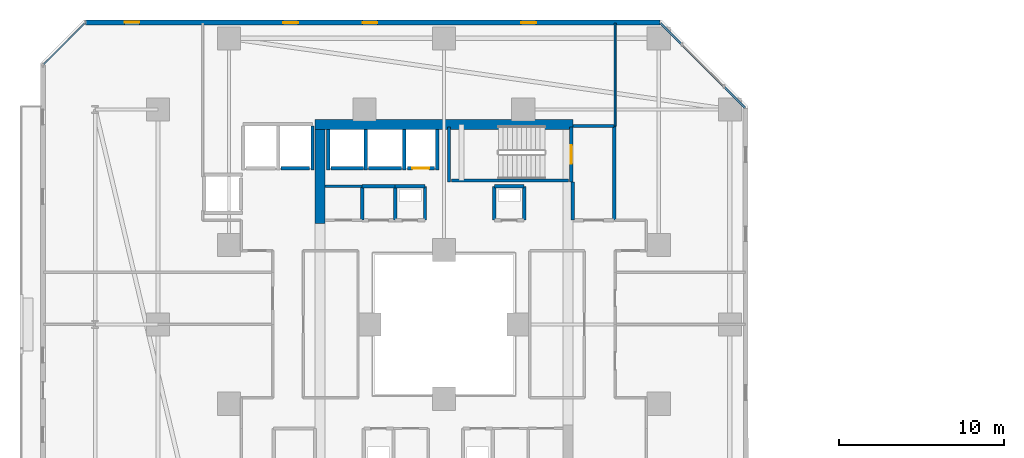
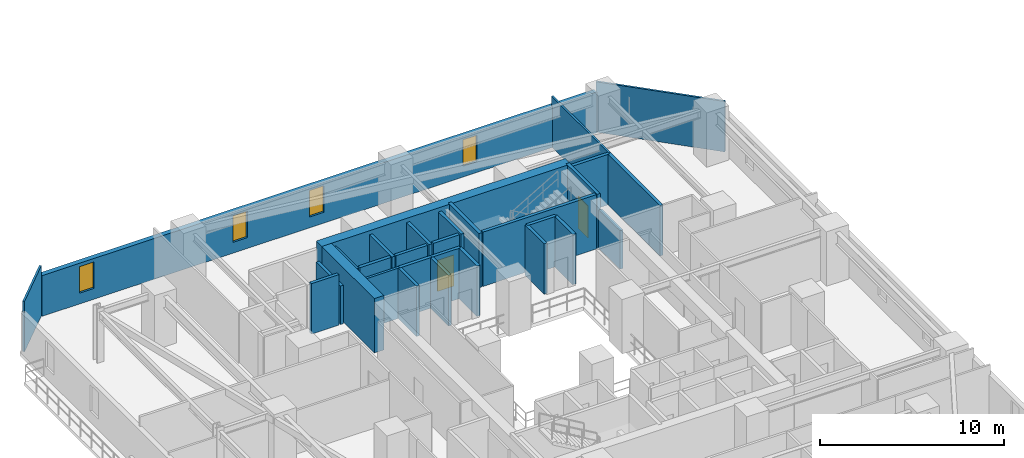
# One storey, part 21 of 33: 30 walls, 4 windows, 2 doors, 6 openings.
"""IFC4 building model written with IfcOpenShell, lengths in metres."""

from ifc_helpers import new_model, si_unit, direction, frame, frame_2d, origin, place, context, subcontext, project, spatial, rectangle, extrude, material, layer, layer_set, type_object, element, fill, save


model = new_model("IFC4")

# Units and contexts
model_context = context("Model", 3, precision=1e-05, world=origin(), true_north=direction((0.0, 1.0)))
body_context = subcontext(model_context, "Body", "Model", "MODEL_VIEW")
ifc_project = project(units=[si_unit("LENGTHUNIT", "METRE"), si_unit("AREAUNIT", "SQUARE_METRE"), si_unit("VOLUMEUNIT", "CUBIC_METRE"), si_unit("PLANEANGLEUNIT", "RADIAN"), si_unit("MASSUNIT", "GRAM", prefix="KILO")], contexts=[model_context])

# Site, building, storey
site_placement = place(None, origin())
site = spatial("IfcSite", under=ifc_project, at=site_placement, CompositionType="ELEMENT")
building_placement = place(site_placement, origin())
building = spatial("IfcBuilding", under=site, at=building_placement, Name="Thornwick Lancets Civic Towers", CompositionType="ELEMENT")
storey_placement = place(building_placement, frame((0.0, 0.0, 38.699951171875)))
storey = spatial("IfcBuildingStorey", under=building, at=storey_placement, Name="L09", CompositionType="ELEMENT", Elevation=38.699951171875)

# Wall, opening, door
ifc_material_1 = material(Name="Concrete blockwork C40/50", Category="masonry")
ifc_layer_1 = layer(ifc_material_1, 0.199951171875, Name="Concrete blockwork C40/50")
ifc_layer_set_1 = layer_set([ifc_layer_1], Name="Concrete blockwork C40/50")
wall_type_1 = type_object("IfcWallType", Name="WALL_COMP_200", PredefinedType="STANDARD", material=ifc_layer_set_1)
wall_1_placement = place(storey_placement, frame((24.919921875, 36.449951171875, 0.0), z_axis=(0.0, 0.0, 1.0), x_axis=(-1.0, 0.0, 0.0)))
wall_1 = element("IfcWall", 1, at=wall_1_placement, inside=storey, type_object=wall_type_1, Name="L09 Hoistway Front Wall FL-A2", PredefinedType="STANDARD", context=body_context, shape_type="SweptSolid", body=[
    extrude(rectangle(XDim=1.639892578125, YDim=0.199951171875, at=frame_2d((0.81982421875, 0.0))), origin(), (0.0, 0.0, 1.0), 3.340087890625),
])
opening_1_placement = place(wall_1_placement, frame((0.31005859375, 0.0, 0.0)))
opening_1 = element("IfcOpeningElement", 2, at=opening_1_placement, cuts=wall_1, Name="Opening LD-FL-A2", PredefinedType="OPENING", context=body_context, shape_type="SweptSolid", body=[
    extrude(rectangle(XDim=1.02001953125, YDim=2.06005859375, at=frame_2d((0.510009765625, 1.030029296875))), frame((0.0, 0.10986328125, 0.0), z_axis=(0.0, -1.0, 0.0), x_axis=(1.0, 0.0, 0.0)), (0.0, 0.0, 1.0), 0.219970703125),
])
ifc_material_2 = material(Name="Brushed bronze stainless steel", Category="steel")
door_type_1 = type_object("IfcDoorType", Name="DOOR_LIFT_SLIDE", OperationType="SLIDING_TO_LEFT", PredefinedType="DOOR", material=ifc_material_2)
door_1_placement = place(opening_1_placement, origin())
door_1 = element("IfcDoor", 3, at=door_1_placement, inside=storey, type_object=door_type_1, Name="L09 Sliding Lift Landing Door LD-FL-A2", OperationType="SLIDING_TO_LEFT", OverallHeight=2.06005859375, OverallWidth=1.02001953125, PredefinedType="DOOR", context=body_context, shape_type="SweptSolid", body=[
    extrude(rectangle(XDim=1.02001953125, YDim=2.06005859375, at=frame_2d((0.510009765625, 1.030029296875))), frame((0.0, 0.02490234375, 0.0), z_axis=(0.0, -1.0, 0.0), x_axis=(1.0, 0.0, 0.0)), (0.0, 0.0, 1.0), 0.050048828125),
])
fill(opening_1, door_1)

# Walls
wall_2_placement = place(storey_placement, frame((22.919921875, 36.449951171875, 0.0), z_axis=(0.0, 0.0, 1.0), x_axis=(-1.0, 0.0, 0.0)))
element("IfcWall", 4, at=wall_2_placement, inside=storey, type_object=wall_type_1, Name="L09 Hoistway Front Wall PL-AH2", PredefinedType="STANDARD", context=body_context, shape_type="SweptSolid", body=[
    extrude(rectangle(XDim=1.989990234375, YDim=0.199951171875, at=frame_2d((0.9951171875, 0.0))), origin(), (0.0, 0.0, 1.0), 3.340087890625),
])
wall_3_placement = place(storey_placement, frame((20.6201171875, 36.449951171875, 0.0), z_axis=(0.0, 0.0, 1.0), x_axis=(-1.0, 0.0, 0.0)))
element("IfcWall", 5, at=wall_3_placement, inside=storey, type_object=wall_type_1, Name="L09 Hoistway Front Wall PL-AH3", PredefinedType="STANDARD", context=body_context, shape_type="SweptSolid", body=[
    extrude(rectangle(XDim=1.940185546875, YDim=0.199951171875, at=frame_2d((0.97021484375, 0.0))), origin(), (0.0, 0.0, 1.0), 3.340087890625),
])
wall_4_placement = place(storey_placement, frame((17.3701171875, 36.449951171875, 0.0), z_axis=(0.0, 0.0, 1.0), x_axis=(-1.0, 0.0, 0.0)))
element("IfcWall", 6, at=wall_4_placement, inside=storey, type_object=wall_type_1, Name="L09 Hoistway Front Wall PL-AM1", PredefinedType="STANDARD", context=body_context, shape_type="SweptSolid", body=[
    extrude(rectangle(XDim=1.740234375, YDim=0.199951171875, at=frame_2d((0.8701171875, 0.0))), origin(), (0.0, 0.0, 1.0), 3.340087890625),
])
for number, where, z_axis, x_axis, name in (
    (7, (25.10009765625, 36.35205078125, 0.0), (0.0, 0.0, 1.0), (0.0, 1.0, 0.0), "L09 Hoistway Shaft Wall FL-A2 E"),
    (8, (23.10009765625, 36.35205078125, 0.0), (0.0, 0.0, 1.0), (0.0, 1.0, 0.0), "L09 Hoistway Shaft Wall FL-A2 W"),
    (9, (20.77490234375, 36.35205078125, 0.0), (0.0, 0.0, 1.0), (0.0, 1.0, 0.0), "L09 Hoistway Shaft Wall PL-AH2 W"),
    (10, (18.5, 36.35205078125, 0.0), (0.0, 0.0, 1.0), (0.0, 1.0, 0.0), "L09 Hoistway Shaft Wall PL-AH3 W"),
):
    element("IfcWall", number, at=place(storey_placement, frame(where, z_axis=z_axis, x_axis=x_axis)), inside=storey, type_object=wall_type_1, Name=name, PredefinedType="STANDARD", context=body_context, shape_type="SweptSolid", body=[
        extrude(rectangle(XDim=2.43603515625, YDim=0.199951171875, at=frame_2d((1.218017578125, 0.0))), origin(), (0.0, 0.0, 1.0), 3.340087890625),
    ])
wall_5_placement = place(storey_placement, frame((17.550048828125, 36.35205078125, 0.0), z_axis=(0.0, 0.0, 1.0), x_axis=(0.0, 1.0, 0.0)))
element("IfcWall", 11, at=wall_5_placement, inside=storey, type_object=wall_type_1, Name="L09 Hoistway Shaft Wall PL-AM1 E", PredefinedType="STANDARD", context=body_context, shape_type="SweptSolid", body=[
    extrude(rectangle(XDim=2.635986328125, YDim=0.199951171875, at=frame_2d((1.31787109375, 0.0))), origin(), (0.0, 0.0, 1.0), 2.545166015625),
])
wall_6_placement = place(storey_placement, frame((35.800048828125, 33.300048828125, 0.0), z_axis=(0.0, 0.0, 1.0), x_axis=(0.0, 1.0, 0.0)))
element("IfcWall", 12, at=wall_6_placement, inside=storey, type_object=wall_type_1, Name="L09 Partition L09-A-FFLOB2 E2", PredefinedType="STANDARD", context=body_context, shape_type="SweptSolid", body=[
    extrude(rectangle(XDim=5.699951171875, YDim=0.199951171875, at=frame_2d((2.85009765625, 0.0))), origin(), (0.0, 0.0, 1.0), 3.340087890625),
])
wall_7_placement = place(storey_placement, frame((35.800048828125, 39.0, 0.0), z_axis=(0.0, 0.0, 1.0), x_axis=(-1.0, 0.0, 0.0)))
element("IfcWall", 13, at=wall_7_placement, inside=storey, type_object=wall_type_1, Name="L09 Partition L09-A-FFLOB2 E3", PredefinedType="STANDARD", context=body_context, shape_type="SweptSolid", body=[
    extrude(rectangle(XDim=2.5, YDim=0.199951171875, at=frame_2d((1.25, 0.0))), origin(), (0.0, 0.0, 1.0), 3.340087890625),
])
wall_8_placement = place(storey_placement, frame((33.300048828125, 35.60009765625, 0.0), z_axis=(0.0, 0.0, 1.0), x_axis=(0.0, -1.0, 0.0)))
element("IfcWall", 14, at=wall_8_placement, inside=storey, type_object=wall_type_1, Name="L09 Partition L09-A-FFLOB2 E4", PredefinedType="STANDARD", context=body_context, shape_type="SweptSolid", body=[
    extrude(rectangle(XDim=2.300048828125, YDim=0.199951171875, at=frame_2d((1.14990234375, 0.0))), origin(), (0.0, 0.0, 1.0), 2.545166015625),
])
wall_9_placement = place(storey_placement, frame((24.35009765625, 33.300048828125, 0.0), z_axis=(0.0, 0.0, 1.0), x_axis=(0.0, 1.0, 0.0)))
element("IfcWall", 15, at=wall_9_placement, inside=storey, type_object=wall_type_1, Name="L09 Partition L09-A-DUCT2 E2", PredefinedType="STANDARD", context=body_context, shape_type="SweptSolid", body=[
    extrude(rectangle(XDim=2.050048828125, YDim=0.199951171875, at=frame_2d((1.02490234375, 0.0))), origin(), (0.0, 0.0, 1.0), 3.340087890625),
])
wall_10_placement = place(storey_placement, frame((24.35009765625, 35.35009765625, 0.0), z_axis=(0.0, 0.0, 1.0), x_axis=(-1.0, 0.0, 0.0)))
element("IfcWall", 16, at=wall_10_placement, inside=storey, type_object=wall_type_1, Name="L09 Partition L09-A-DUCT2 E3", PredefinedType="STANDARD", context=body_context, shape_type="SweptSolid", body=[
    extrude(rectangle(XDim=1.800048828125, YDim=0.199951171875, at=frame_2d((0.89990234375, 0.0))), origin(), (0.0, 0.0, 1.0), 3.340087890625),
])
for number, where, z_axis, x_axis, name in (
    (17, (22.550048828125, 35.35009765625, 0.0), (0.0, 0.0, 1.0), (0.0, -1.0, 0.0), "L09 Partition L09-A-DUCT2 E4"),
    (18, (30.35009765625, 33.300048828125, 0.0), (0.0, 0.0, 1.0), (0.0, 1.0, 0.0), "L09 Partition L09-A-RISER2 E2"),
):
    element("IfcWall", number, at=place(storey_placement, frame(where, z_axis=z_axis, x_axis=x_axis)), inside=storey, type_object=wall_type_1, Name=name, PredefinedType="STANDARD", context=body_context, shape_type="SweptSolid", body=[
        extrude(rectangle(XDim=2.050048828125, YDim=0.199951171875, at=frame_2d((1.02490234375, 0.0))), origin(), (0.0, 0.0, 1.0), 3.340087890625),
    ])
wall_11_placement = place(storey_placement, frame((30.35009765625, 35.35009765625, 0.0), z_axis=(0.0, 0.0, 1.0), x_axis=(-1.0, 0.0, 0.0)))
element("IfcWall", 19, at=wall_11_placement, inside=storey, type_object=wall_type_1, Name="L09 Partition L09-A-RISER2 E3", PredefinedType="STANDARD", context=body_context, shape_type="SweptSolid", body=[
    extrude(rectangle(XDim=1.800048828125, YDim=0.199951171875, at=frame_2d((0.89990234375, 0.0))), origin(), (0.0, 0.0, 1.0), 3.340087890625),
])
for number, where, z_axis, x_axis, name in (
    (20, (28.550048828125, 35.35009765625, 0.0), (0.0, 0.0, 1.0), (0.0, -1.0, 0.0), "L09 Partition L09-A-RISER2 E4"),
    (21, (20.550048828125, 33.300048828125, 0.0), (0.0, 0.0, 1.0), (0.0, 1.0, 0.0), "L09 Partition L09-A-STR E1"),
):
    element("IfcWall", number, at=place(storey_placement, frame(where, z_axis=z_axis, x_axis=x_axis)), inside=storey, type_object=wall_type_1, Name=name, PredefinedType="STANDARD", context=body_context, shape_type="SweptSolid", body=[
        extrude(rectangle(XDim=2.050048828125, YDim=0.199951171875, at=frame_2d((1.02490234375, 0.0))), origin(), (0.0, 0.0, 1.0), 3.340087890625),
    ])
wall_12_placement = place(storey_placement, frame((20.550048828125, 35.35009765625, 0.0), z_axis=(0.0, 0.0, 1.0), x_axis=(1.0, 0.0, 0.0)))
element("IfcWall", 22, at=wall_12_placement, inside=storey, type_object=wall_type_1, Name="L09 Partition L09-A-STR E2", PredefinedType="STANDARD", context=body_context, shape_type="SweptSolid", body=[
    extrude(rectangle(XDim=2.0, YDim=0.199951171875, at=frame_2d((1.0, 0.0))), origin(), (0.0, 0.0, 1.0), 3.340087890625),
])
ifc_material_3 = material(Name="Concrete C60/75", Category="concrete")
ifc_layer_2 = layer(ifc_material_3, 0.60009765625, Name="Concrete C60/75")
ifc_layer_set_2 = layer_set([ifc_layer_2], Name="Concrete C60/75")
wall_type_2 = type_object("IfcWallType", Name="WALL_CORE_600", PredefinedType="SHEAR", material=ifc_layer_set_2)
wall_13_placement = place(storey_placement, frame((17.699951171875, 39.10009765625, 0.0), z_axis=(0.0, 0.0, 1.0), x_axis=(1.0, 0.0, 0.0)))
element("IfcWall", 23, at=wall_13_placement, inside=storey, type_object=wall_type_2, Name="L09 Split Core A2 Shear Wall N", PredefinedType="SHEAR", context=body_context, shape_type="SweptSolid", body=[
    extrude(rectangle(XDim=15.60009765625, YDim=0.60009765625, at=frame_2d((7.800048828125, 0.0))), origin(), (0.0, 0.0, 1.0), 3.60009765625),
])
wall_14_placement = place(storey_placement, frame((18.0, 33.10009765625, 0.0), z_axis=(0.0, 0.0, 1.0), x_axis=(0.0, 1.0, 0.0)))
element("IfcWall", 24, at=wall_14_placement, inside=storey, type_object=wall_type_2, Name="L09 Split Core A2 Shear Wall W", PredefinedType="SHEAR", context=body_context, shape_type="SweptSolid", body=[
    extrude(rectangle(XDim=5.699951171875, YDim=0.60009765625, at=frame_2d((2.85009765625, 0.0))), origin(), (0.0, 0.0, 1.0), 3.60009765625),
])

# Wall, openings, windows
ifc_material_4 = material(Name="Insulated russet terracotta rainscreen on concrete C40/50", Category="masonry")
ifc_layer_3 = layer(ifc_material_4, 0.300048828125, Name="Insulated russet terracotta rainscreen on concrete C40/50")
ifc_layer_set_3 = layer_set([ifc_layer_3], Name="Insulated russet terracotta rainscreen on concrete C40/50")
wall_type_3 = type_object("IfcWallType", Name="WALL_EXT_RUSSET_300", PredefinedType="STANDARD", material=ifc_layer_set_3)
wall_15_placement = place(storey_placement, frame((38.573486328125, 45.25634765625, 0.0), z_axis=(0.0, 0.0, 1.0), x_axis=(-0.999999969775, 0.000245864205, 0.0)))
wall_15 = element("IfcWall", 25, at=wall_15_placement, inside=storey, type_object=wall_type_3, Name="L09 Tower A Terracotta Facade Wall E4", PredefinedType="STANDARD", context=body_context, shape_type="SweptSolid", body=[
    extrude(rectangle(XDim=34.754638671875, YDim=0.300048828125, at=frame_2d((17.37744140625, 0.0))), origin(), (0.0, 0.0, 1.0), 2.699951171875),
])
opening_2_placement = place(wall_15_placement, frame((7.5, 0.0, 0.719970703125)))
opening_2 = element("IfcOpeningElement", 26, at=opening_2_placement, cuts=wall_15, Name="Opening WL-01", PredefinedType="OPENING", context=body_context, shape_type="SweptSolid", body=[
    extrude(rectangle(XDim=0.89990234375, YDim=1.75, at=frame_2d((0.449951171875, 0.875))), frame((0.0, 0.16015625, 0.0), z_axis=(0.0, -1.0, 0.0), x_axis=(1.0, 0.0, 0.0)), (0.0, 0.0, 1.0), 0.320068359375),
])
opening_3_placement = place(wall_15_placement, frame((17.10009765625, 0.0, 0.719970703125)))
opening_3 = element("IfcOpeningElement", 27, at=opening_3_placement, cuts=wall_15, Name="Opening WL-01", PredefinedType="OPENING", context=body_context, shape_type="SweptSolid", body=[
    extrude(rectangle(XDim=0.89990234375, YDim=1.75, at=frame_2d((0.449951171875, 0.875))), frame((0.0, 0.16015625, 0.0), z_axis=(0.0, -1.0, 0.0), x_axis=(1.0, 0.0, 0.0)), (0.0, 0.0, 1.0), 0.320068359375),
])
opening_4_placement = place(wall_15_placement, frame((21.89990234375, 0.0, 0.719970703125)))
opening_4 = element("IfcOpeningElement", 28, at=opening_4_placement, cuts=wall_15, Name="Opening WL-01", PredefinedType="OPENING", context=body_context, shape_type="SweptSolid", body=[
    extrude(rectangle(XDim=0.89990234375, YDim=1.75, at=frame_2d((0.449951171875, 0.875))), frame((0.0, 0.16015625, 0.0), z_axis=(0.0, -1.0, 0.0), x_axis=(1.0, 0.0, 0.0)), (0.0, 0.0, 1.0), 0.320068359375),
])
opening_5_placement = place(wall_15_placement, frame((31.5, 0.0, 0.719970703125)))
opening_5 = element("IfcOpeningElement", 29, at=opening_5_placement, cuts=wall_15, Name="Opening WL-01", PredefinedType="OPENING", context=body_context, shape_type="SweptSolid", body=[
    extrude(rectangle(XDim=0.89990234375, YDim=1.75, at=frame_2d((0.449951171875, 0.875))), frame((0.0, 0.16015625, 0.0), z_axis=(0.0, -1.0, 0.0), x_axis=(1.0, 0.0, 0.0)), (0.0, 0.0, 1.0), 0.320068359375),
])
ifc_material_5 = material(Name="Clear low-e double glazing in bronze frame", Category="glass")
window_type = type_object("IfcWindowType", Name="WIN_LANCET_900", PartitioningType="SINGLE_PANEL", PredefinedType="WINDOW", material=ifc_material_5)
window_1_placement = place(opening_2_placement, origin())
window_1 = element("IfcWindow", 30, at=window_1_placement, inside=storey, type_object=window_type, Name="L09 Tower A Staggered Lancet Window E4-1", OverallHeight=1.75, OverallWidth=0.89990234375, PartitioningType="SINGLE_PANEL", PredefinedType="WINDOW", context=body_context, shape_type="SweptSolid", body=[
    extrude(rectangle(XDim=0.89990234375, YDim=1.75, at=frame_2d((0.449951171875, 0.875))), frame((0.0, 0.030029296875, 0.0), z_axis=(0.0, -1.0, 0.0), x_axis=(1.0, 0.0, 0.0)), (0.0, 0.0, 1.0), 0.06005859375),
])
fill(opening_2, window_1)
window_2_placement = place(opening_3_placement, origin())
window_2 = element("IfcWindow", 31, at=window_2_placement, inside=storey, type_object=window_type, Name="L09 Tower A Staggered Lancet Window E4-2", OverallHeight=1.75, OverallWidth=0.89990234375, PartitioningType="SINGLE_PANEL", PredefinedType="WINDOW", context=body_context, shape_type="SweptSolid", body=[
    extrude(rectangle(XDim=0.89990234375, YDim=1.75, at=frame_2d((0.449951171875, 0.875))), frame((0.0, 0.030029296875, 0.0), z_axis=(0.0, -1.0, 0.0), x_axis=(1.0, 0.0, 0.0)), (0.0, 0.0, 1.0), 0.06005859375),
])
fill(opening_3, window_2)
window_3_placement = place(opening_4_placement, origin())
window_3 = element("IfcWindow", 32, at=window_3_placement, inside=storey, type_object=window_type, Name="L09 Tower A Staggered Lancet Window E4-3", OverallHeight=1.75, OverallWidth=0.89990234375, PartitioningType="SINGLE_PANEL", PredefinedType="WINDOW", context=body_context, shape_type="SweptSolid", body=[
    extrude(rectangle(XDim=0.89990234375, YDim=1.75, at=frame_2d((0.449951171875, 0.875))), frame((0.0, 0.030029296875, 0.0), z_axis=(0.0, -1.0, 0.0), x_axis=(1.0, 0.0, 0.0)), (0.0, 0.0, 1.0), 0.06005859375),
])
fill(opening_4, window_3)
window_4_placement = place(opening_5_placement, origin())
window_4 = element("IfcWindow", 33, at=window_4_placement, inside=storey, type_object=window_type, Name="L09 Tower A Staggered Lancet Window E4-4", OverallHeight=1.75, OverallWidth=0.89990234375, PartitioningType="SINGLE_PANEL", PredefinedType="WINDOW", context=body_context, shape_type="SweptSolid", body=[
    extrude(rectangle(XDim=0.89990234375, YDim=1.75, at=frame_2d((0.449951171875, 0.875))), frame((0.0, 0.030029296875, 0.0), z_axis=(0.0, -1.0, 0.0), x_axis=(1.0, 0.0, 0.0)), (0.0, 0.0, 1.0), 0.06005859375),
])
fill(opening_5, window_4)

# Walls
ifc_material_6 = material(Name="Acoustic gypsum board partition")
ifc_layer_4 = layer(ifc_material_6, 0.1201171875, Name="Acoustic gypsum board partition")
ifc_layer_set_4 = layer_set([ifc_layer_4], Name="Acoustic gypsum board partition")
wall_type_4 = type_object("IfcWallType", Name="WALL_PART_120", PredefinedType="PARTITIONING", material=ifc_layer_set_4)
wall_16_placement = place(storey_placement, frame((1.280029296875, 42.725341796875, 0.0), z_axis=(0.0, 0.0, 1.0), x_axis=(0.707106781187, 0.707106781187, 0.0)))
element("IfcWall", 34, at=wall_16_placement, inside=storey, type_object=wall_type_4, Name="L09 Partition L09-A-W3 E7", PredefinedType="PARTITIONING", context=body_context, shape_type="SweptSolid", body=[
    extrude(rectangle(XDim=3.52783203125, YDim=0.1201171875, at=frame_2d((1.763916015625, 0.0))), origin(), (0.0, 0.0, 1.0), 3.340087890625),
])
wall_17_placement = place(storey_placement, frame((35.85009765625, 39.0, 0.0), z_axis=(0.0, 0.0, 1.0), x_axis=(0.0, 1.0, 0.0)))
element("IfcWall", 35, at=wall_17_placement, inside=storey, type_object=wall_type_4, Name="L09 Partition L09-A-E3 E4", PredefinedType="PARTITIONING", context=body_context, shape_type="SweptSolid", body=[
    extrude(rectangle(XDim=6.219970703125, YDim=0.1201171875, at=frame_2d((3.10986328125, 0.0))), origin(), (0.0, 0.0, 1.0), 3.340087890625),
])
wall_18_placement = place(storey_placement, frame((38.607421875, 45.219970703125, 0.0), z_axis=(0.0, 0.0, 1.0), x_axis=(0.707106781187, -0.707106781187, 0.0)))
element("IfcWall", 36, at=wall_18_placement, inside=storey, type_object=wall_type_4, Name="L09 Partition L09-A-E3 E6", PredefinedType="PARTITIONING", context=body_context, shape_type="SweptSolid", body=[
    extrude(rectangle(XDim=7.230224609375, YDim=0.1201171875, at=frame_2d((3.615234375, 0.0))), origin(), (0.0, 0.0, 1.0), 3.340087890625),
])
ifc_material_7 = material(Name="Twin-stud acoustic gypsum board")
ifc_layer_5 = layer(ifc_material_7, 0.14990234375, Name="Twin-stud acoustic gypsum board")
ifc_layer_set_5 = layer_set([ifc_layer_5], Name="Twin-stud acoustic gypsum board")
wall_type_5 = type_object("IfcWallType", Name="WALL_PART_150", PredefinedType="PARTITIONING", material=ifc_layer_set_5)
wall_19_placement = place(storey_placement, frame((20.550048828125, 35.35009765625, 0.0), z_axis=(0.0, 0.0, 1.0), x_axis=(-1.0, 0.0, 0.0)))
element("IfcWall", 37, at=wall_19_placement, inside=storey, type_object=wall_type_5, Name="L09 Partition L09-A-AWC E3", PredefinedType="PARTITIONING", context=body_context, shape_type="SweptSolid", body=[
    extrude(rectangle(XDim=2.25, YDim=0.14990234375, at=frame_2d((1.125, 0.0))), origin(), (0.0, 0.0, 1.0), 3.340087890625),
])

# Wall, opening, door
ifc_material_8 = material(Name="Concrete C40/50", Category="concrete")
ifc_layer_6 = layer(ifc_material_8, 0.199951171875, Name="Concrete C40/50")
ifc_layer_set_6 = layer_set([ifc_layer_6], Name="Concrete C40/50")
wall_type_6 = type_object("IfcWallType", Name="WALL_SHAFT_200", PredefinedType="SHEAR", material=ifc_layer_set_6)
wall_20_placement = place(storey_placement, frame((33.199951171875, 38.949951171875, 0.0), z_axis=(0.0, 0.0, 1.0), x_axis=(0.0, -1.0, 0.0)))
wall_20 = element("IfcWall", 38, at=wall_20_placement, inside=storey, type_object=wall_type_6, Name="L09 ST-A2 Fire Stair Core Wall NEAR", PredefinedType="SHEAR", context=body_context, shape_type="SweptSolid", body=[
    extrude(rectangle(XDim=3.349853515625, YDim=0.199951171875, at=frame_2d((1.6748046875, 0.0))), origin(), (0.0, 0.0, 1.0), 3.60009765625),
])
opening_6_placement = place(wall_20_placement, frame((1.125, 0.0, 0.0)))
opening_6 = element("IfcOpeningElement", 39, at=opening_6_placement, cuts=wall_20, Name="Opening D-ST-A2-L09", PredefinedType="OPENING", context=body_context, shape_type="SweptSolid", body=[
    extrude(rectangle(XDim=1.10009765625, YDim=2.10009765625, at=frame_2d((0.550048828125, 1.050048828125))), frame((0.0, 0.10986328125, 0.0), z_axis=(0.0, -1.0, 0.0), x_axis=(1.0, 0.0, 0.0)), (0.0, 0.0, 1.0), 0.219970703125),
])
ifc_material_9 = material(Name="Fire-resisting steel and hardwood", Category="steel")
door_type_2 = type_object("IfcDoorType", Name="DOOR_STAIR_FD60", OperationType="NOTDEFINED", PredefinedType="DOOR", material=ifc_material_9)
door_2_placement = place(opening_6_placement, origin())
door_2 = element("IfcDoor", 40, at=door_2_placement, inside=storey, type_object=door_type_2, Name="L09 ST-A2 Exit Stair Door", OperationType="SINGLE_SWING_LEFT", OverallHeight=2.10009765625, OverallWidth=1.10009765625, PredefinedType="DOOR", context=body_context, shape_type="SweptSolid", body=[
    extrude(rectangle(XDim=1.10009765625, YDim=2.10009765625, at=frame_2d((0.550048828125, 1.050048828125))), frame((0.0, 0.02490234375, 0.0), z_axis=(0.0, -1.0, 0.0), x_axis=(1.0, 0.0, 0.0)), (0.0, 0.0, 1.0), 0.050048828125),
])
fill(opening_6, door_2)

# Walls
wall_21_placement = place(storey_placement, frame((25.800048828125, 35.60009765625, 0.0), z_axis=(0.0, 0.0, 1.0), x_axis=(0.0, 1.0, 0.0)))
element("IfcWall", 41, at=wall_21_placement, inside=storey, type_object=wall_type_6, Name="L09 ST-A2 Fire Stair Core Wall FAR", PredefinedType="SHEAR", context=body_context, shape_type="SweptSolid", body=[
    extrude(rectangle(XDim=3.349853515625, YDim=0.199951171875, at=frame_2d((1.6748046875, 0.0))), origin(), (0.0, 0.0, 1.0), 3.60009765625),
])
wall_22_placement = place(storey_placement, frame((25.949951171875, 35.702880859375, 0.0), z_axis=(0.0, 0.0, 1.0), x_axis=(1.0, 0.0, 0.0)))
element("IfcWall", 42, at=wall_22_placement, inside=storey, type_object=wall_type_6, Name="L09 ST-A2 Fire Stair Core Wall RIGHT", PredefinedType="SHEAR", context=body_context, shape_type="SweptSolid", body=[
    extrude(rectangle(XDim=7.10009765625, YDim=0.199951171875, at=frame_2d((3.550048828125, 0.0))), origin(), (0.0, 0.0, 1.0), 3.60009765625),
])

save(model, "model.ifc")
